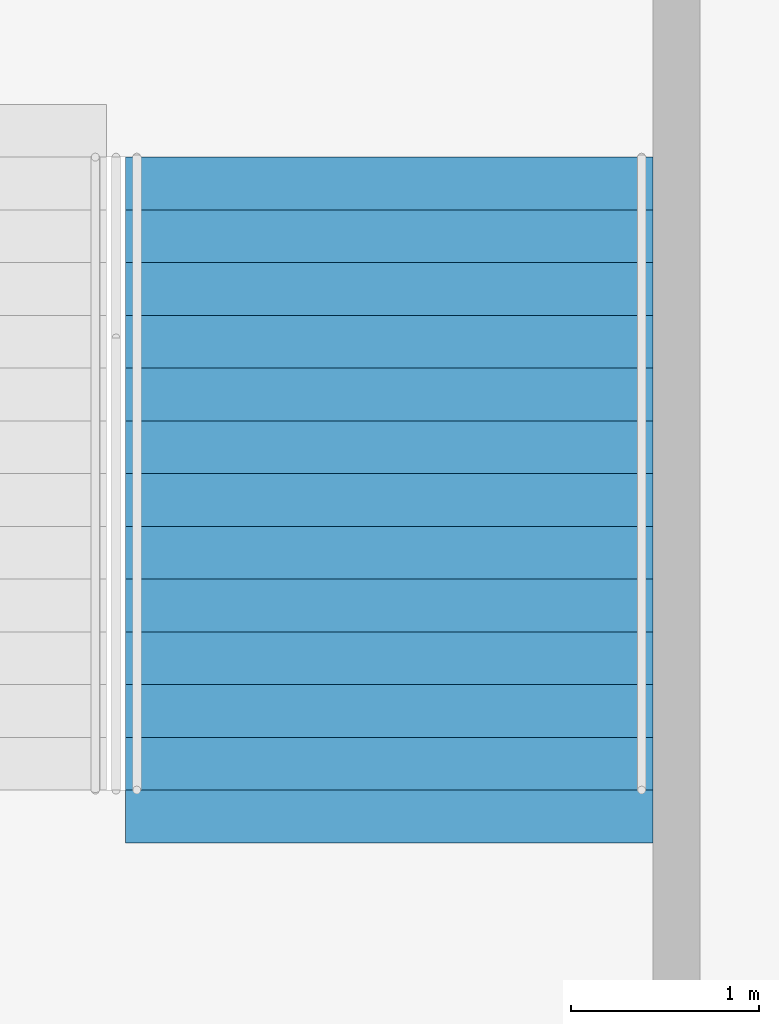
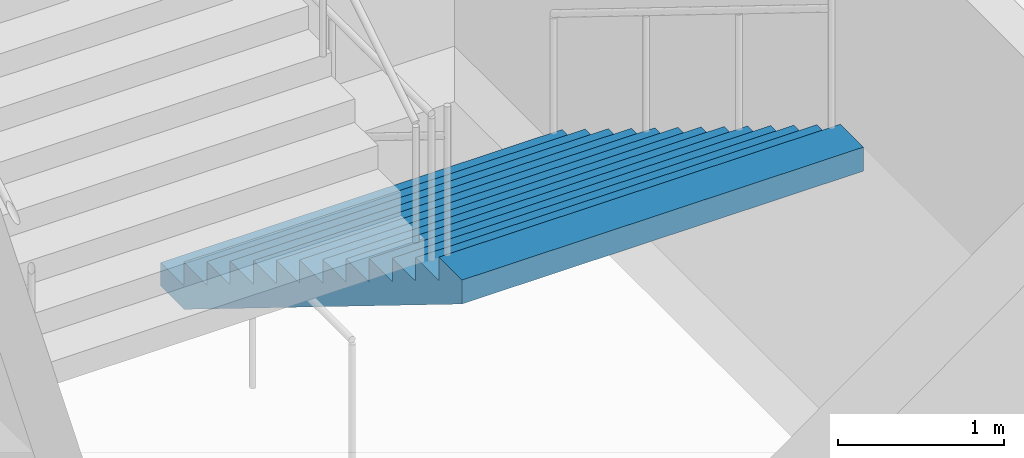
# One storey, part 101 of 177: 1 stair flight, 1 element without a shape of its own.
"""IFC4 building model written with IfcOpenShell, lengths in metres."""

import ifcopenshell
import ifcopenshell.guid

model = None  # the IFC model being written
_history = None  # IfcOwnerHistory: only IFC2X3 demands one
_inside = {}  # id of a spatial element -> (the spatial element, [elements in it])
_under = {}  # id of a project, library or spatial element -> (it, [spatial elements below it])
_declared = {}  # id of a project -> (the project, [libraries it declares])
_typed = {}  # id of a type object -> (the type object, [elements of that type])
_made_of = {}  # id of a material, layer set ... -> (it, [elements and type objects made of it])


def new_model(schema):
    """Start an empty IFC model of exactly this schema.

    Asked for "IFC4X3", IfcOpenShell would pick the latest addendum, in which some entities
    have other attributes; the version numbers below select the first issue.
    IFC2X3 requires an IfcOwnerHistory on every rooted entity: one is made here for all.
    """
    global model, _history
    if schema == "IFC4X3":
        model = ifcopenshell.file(schema_version=(4, 3, 0, 0))
    else:
        model = ifcopenshell.file(schema=schema)
    _inside.clear()
    _under.clear()
    _declared.clear()
    _typed.clear()
    _made_of.clear()
    _history = None
    if model.schema == "IFC2X3":
        org = make("IfcOrganization", Name="unknown")
        user = make(
            "IfcPersonAndOrganization",
            ThePerson=make("IfcPerson", FamilyName="unknown"),
            TheOrganization=org,
        )
        app = make(
            "IfcApplication",
            ApplicationDeveloper=org,
            Version="unknown",
            ApplicationFullName="unknown",
            ApplicationIdentifier="unknown",
        )
        _history = make(
            "IfcOwnerHistory",
            OwningUser=user,
            OwningApplication=app,
            ChangeAction="ADDED",
            CreationDate=0,
        )
    return model


def make(cls, **values):
    """One entity of the class cls with the attributes given. An attribute that is None is left unset."""
    return model.create_entity(
        cls, **{name: value for name, value in values.items() if value is not None}
    )


def rooted(cls, **values):
    """An entity with a GlobalId (a new one), such as an element, a storey or a relation."""
    return make(cls, GlobalId=ifcopenshell.guid.new(), OwnerHistory=_history, **values)


def si_unit(unit_type, name, prefix=None):
    """IfcSIUnit, for example si_unit("LENGTHUNIT", "METRE", prefix="MILLI")."""
    return make("IfcSIUnit", UnitType=unit_type, Prefix=prefix, Name=name)


def assignment(units):
    """IfcUnitAssignment: the units of a project."""
    return None if units is None else make("IfcUnitAssignment", Units=units)


def point(xyz):
    """IfcCartesianPoint."""
    return None if xyz is None else make("IfcCartesianPoint", Coordinates=xyz)


def direction(xyz):
    """IfcDirection."""
    return None if xyz is None else make("IfcDirection", DirectionRatios=xyz)


def frame(location, z_axis=None, x_axis=None):
    """IfcAxis2Placement3D, a coordinate frame: its origin and axes. An axis left out is left unset."""
    return make(
        "IfcAxis2Placement3D",
        Location=point(location),
        Axis=direction(z_axis),
        RefDirection=direction(x_axis),
    )


def origin():
    """The frame at (0, 0, 0) with its axes left unset."""
    return frame((0.0, 0.0, 0.0))


def place(relative_to, where):
    """IfcLocalPlacement: puts the frame where relative to a parent placement (None: the world)."""
    return make(
        "IfcLocalPlacement", PlacementRelTo=relative_to, RelativePlacement=where
    )


def context(
    kind, dimensions, precision=None, world=None, true_north=None, identifier=None
):
    """IfcGeometricRepresentationContext, for example the 3D "Model" context."""
    return make(
        "IfcGeometricRepresentationContext",
        ContextIdentifier=identifier,
        ContextType=kind,
        CoordinateSpaceDimension=dimensions,
        Precision=precision,
        WorldCoordinateSystem=world,
        TrueNorth=true_north,
    )


def subcontext(parent, identifier, kind, view, scale=None):
    """IfcGeometricRepresentationSubContext, for example "Body" below "Model"."""
    return make(
        "IfcGeometricRepresentationSubContext",
        ContextIdentifier=identifier,
        ContextType=kind,
        ParentContext=parent,
        TargetScale=scale,
        TargetView=view,
    )


def project(units=None, contexts=None):
    """IfcProject with its units and contexts."""
    return rooted(
        "IfcProject",
        Name="project",
        RepresentationContexts=contexts,
        UnitsInContext=assignment(units),
    )


def spatial(cls, under=None, at=None, **own):
    """A site, building, storey or space (cls), placed at a placement, below another one or the project."""
    s = rooted(cls, ObjectPlacement=at, **own)
    if under is not None:
        _under.setdefault(under.id(), (under, []))[1].append(s)
    return s


def faces_of(points, faces, orient=None, outer=None):
    """IfcFace entities. A face is a list of loops; a loop is a list of indices into points, from 0.

    orient and outer hold one flag for each loop. By default every Orientation is true, the
    first loop of a face is its IfcFaceOuterBound and the others are IfcFaceBound.
    """
    made = []
    for i, loops in enumerate(faces):
        bounds = []
        for j, loop in enumerate(loops):
            is_outer = j == 0 if outer is None else outer[i][j]
            bounds.append(
                make(
                    "IfcFaceOuterBound" if is_outer else "IfcFaceBound",
                    Bound=make("IfcPolyLoop", Polygon=[points[k] for k in loop]),
                    Orientation=True if orient is None else orient[i][j],
                )
            )
        made.append(make("IfcFace", Bounds=bounds))
    return made


def faceted_brep(points, faces, orient=None, outer=None, voids=None):
    """IfcFacetedBrep: a solid bounded by flat faces; with voids (closed shells), ...WithVoids."""
    shared = [point(p) for p in points]
    hull = make("IfcClosedShell", CfsFaces=faces_of(shared, faces, orient, outer))
    if voids is None:
        return make("IfcFacetedBrep", Outer=hull)
    return make(
        "IfcFacetedBrepWithVoids",
        Outer=hull,
        Voids=[
            make(cls, CfsFaces=faces_of(shared, fs, o, b)) for cls, fs, o, b in voids
        ],
    )


def shape(context_of_items, identifier, shape_type, items):
    """IfcShapeRepresentation: the items that make up one representation, for example the "Body"."""
    return make(
        "IfcShapeRepresentation",
        ContextOfItems=context_of_items,
        RepresentationIdentifier=identifier,
        RepresentationType=shape_type,
        Items=items,
    )


def material(Name=None, Category=None):
    """IfcMaterial."""
    return make("IfcMaterial", Name=Name, Category=Category)


def made_of(thing, what):
    """Note that an element or type object is made of a material, layer set ...; save() writes the relation."""
    if what is not None:
        _made_of.setdefault(what.id(), (what, []))[1].append(thing)
    return thing


def type_object(cls, material=None, **own):
    """A type object (cls), such as IfcWallType, which elements share."""
    return made_of(rooted(cls, **own), material)


def element(
    cls,
    number,
    at=None,
    inside=None,
    cuts=None,
    type_object=None,
    material=None,
    context=None,
    identifier="Body",
    shape_type=None,
    held_by="IfcProductDefinitionShape",
    body=None,
    shapes=None,
    **own,
):
    """One element of the class cls, such as IfcWall. Its Tag is "e" and its number.

    at: its placement. inside: the storey or other place that contains it. cuts: it is an
    opening in that element (IfcRelVoidsElement). A single representation is given by context,
    identifier, shape_type and body (its items); several are given by shapes. held_by: the class
    of the entity that holds the representations. save() writes the other relations.
    """
    e = rooted(cls, Tag="e%d" % number, ObjectPlacement=at, **own)
    if body is not None:
        shapes = [shape(context, identifier, shape_type, body)]
    if shapes is not None:
        e.Representation = make(held_by, Representations=shapes)
    if inside is not None:
        _inside.setdefault(inside.id(), (inside, []))[1].append(e)
    if cuts is not None:
        rooted(
            "IfcRelVoidsElement", RelatingBuildingElement=cuts, RelatedOpeningElement=e
        )
    if type_object is not None:
        _typed.setdefault(type_object.id(), (type_object, []))[1].append(e)
    return made_of(e, material)


def aggregate(whole, parts):
    """IfcRelAggregates: a whole, such as a stair, and the parts it consists of."""
    return rooted("IfcRelAggregates", RelatingObject=whole, RelatedObjects=parts)


def save(model, path):
    """Write the relations noted so far, then the file.

    IfcRelAggregates (storeys below a building ...), IfcRelContainedInSpatialStructure (elements
    in a storey), IfcRelDefinesByType, IfcRelAssociatesMaterial and IfcRelDeclares: one each for
    every whole, place, type object, material and project.
    """
    for whole, parts in _under.values():
        aggregate(whole, parts)
    for where, things in _inside.values():
        rooted(
            "IfcRelContainedInSpatialStructure",
            RelatedElements=things,
            RelatingStructure=where,
        )
    for kind, things in _typed.values():
        rooted("IfcRelDefinesByType", RelatedObjects=things, RelatingType=kind)
    for what, things in _made_of.values():
        rooted("IfcRelAssociatesMaterial", RelatedObjects=things, RelatingMaterial=what)
    for by, libraries in _declared.values():
        rooted("IfcRelDeclares", RelatingContext=by, RelatedDefinitions=libraries)
    model.write(path)


model = new_model("IFC4")

# Units and contexts
model_context = context("Model", 3, precision=1e-05, world=origin(), true_north=direction((0.0, 1.0)))
body_context = subcontext(model_context, "Body", "Model", "MODEL_VIEW")
ifc_project = project(units=[si_unit("LENGTHUNIT", "METRE"), si_unit("AREAUNIT", "SQUARE_METRE"), si_unit("VOLUMEUNIT", "CUBIC_METRE"), si_unit("PLANEANGLEUNIT", "RADIAN"), si_unit("MASSUNIT", "GRAM", prefix="KILO")], contexts=[model_context])

# Site, building, storey
site_placement = place(None, origin())
site = spatial("IfcSite", under=ifc_project, at=site_placement, CompositionType="ELEMENT")
building_placement = place(site_placement, origin())
building = spatial("IfcBuilding", under=site, at=building_placement, Name="Ogive Plaza Stadium", CompositionType="ELEMENT")
storey_placement = place(building_placement, frame((0.0, 0.0, 18.0)))
storey = spatial("IfcBuildingStorey", under=building, at=storey_placement, Name="L04", CompositionType="ELEMENT", Elevation=18.0)

# Stair, stair flight
ifc_material_1 = material(Name="Concrete C40/50", Category="concrete")
stair_type = type_object("IfcStairType", Name="Exit stair", PredefinedType="STRAIGHT_RUN_STAIR", material=ifc_material_1)
stair_placement = place(storey_placement, origin())
stair = element("IfcStair", 1, at=stair_placement, inside=storey, type_object=stair_type, Name="Exit stair ST14B L04 to L05", PredefinedType="STRAIGHT_RUN_STAIR")
ifc_material_2 = material(Name="Concrete C40/50", Category="concrete")
stair_flight_type = type_object("IfcStairFlightType", Name="Exit stair flight", PredefinedType="STRAIGHT", material=ifc_material_2)
stair_flight_placement = place(storey_placement, frame((11.22509765625, -94.85009765625, 0.0), z_axis=(0.0, 0.0, 1.0), x_axis=(0.0, -1.0, 0.0)))
stair_flight = element("IfcStairFlight", 2, at=stair_flight_placement, type_object=stair_flight_type, Name="ST14B flight 1", NumberOfRisers=13, NumberOfTreads=12, PredefinedType="STRAIGHT", RiserHeight=0.173076923, TreadLength=0.28, context=body_context, shape_type="Brep", body=[
    faceted_brep([(0.28515625, -1.39990234375, 0.0), (3.639892578125, -1.39990234375, 2.07373046875), (3.639892578125, -1.39990234375, 2.25), (3.360107421875, -1.39990234375, 2.25), (3.360107421875, -1.39990234375, 2.076904296875), (3.080078125, -1.39990234375, 2.076904296875), (3.080078125, -1.39990234375, 1.90380859375), (2.800048828125, -1.39990234375, 1.90380859375), (2.800048828125, -1.39990234375, 1.730712890625), (2.52001953125, -1.39990234375, 1.730712890625), (2.52001953125, -1.39990234375, 1.5576171875), (2.239990234375, -1.39990234375, 1.5576171875), (2.239990234375, -1.39990234375, 1.384521484375), (1.9599609375, -1.39990234375, 1.384521484375), (1.9599609375, -1.39990234375, 1.21142578125), (1.679931640625, -1.39990234375, 1.21142578125), (1.679931640625, -1.39990234375, 1.03857421875), (1.39990234375, -1.39990234375, 1.03857421875), (1.39990234375, -1.39990234375, 0.865478515625), (1.1201171875, -1.39990234375, 0.865478515625), (1.1201171875, -1.39990234375, 0.6923828125), (0.840087890625, -1.39990234375, 0.6923828125), (0.840087890625, -1.39990234375, 0.519287109375), (0.56005859375, -1.39990234375, 0.519287109375), (0.56005859375, -1.39990234375, 0.34619140625), (0.280029296875, -1.39990234375, 0.34619140625), (0.280029296875, -1.39990234375, 0.173095703125), (0.0, -1.39990234375, 0.173095703125), (0.0, -1.39990234375, 0.0), (0.0, 1.39990234375, 0.0), (0.0, 1.39990234375, 0.173095703125), (0.280029296875, 1.39990234375, 0.173095703125), (0.280029296875, 1.39990234375, 0.34619140625), (0.56005859375, 1.39990234375, 0.34619140625), (0.56005859375, 1.39990234375, 0.519287109375), (0.840087890625, 1.39990234375, 0.519287109375), (0.840087890625, 1.39990234375, 0.6923828125), (1.1201171875, 1.39990234375, 0.6923828125), (1.1201171875, 1.39990234375, 0.865478515625), (1.39990234375, 1.39990234375, 0.865478515625), (1.39990234375, 1.39990234375, 1.03857421875), (1.679931640625, 1.39990234375, 1.03857421875), (1.679931640625, 1.39990234375, 1.21142578125), (1.9599609375, 1.39990234375, 1.21142578125), (1.9599609375, 1.39990234375, 1.384521484375), (2.239990234375, 1.39990234375, 1.384521484375), (2.239990234375, 1.39990234375, 1.5576171875), (2.52001953125, 1.39990234375, 1.5576171875), (2.52001953125, 1.39990234375, 1.730712890625), (2.800048828125, 1.39990234375, 1.730712890625), (2.800048828125, 1.39990234375, 1.90380859375), (3.080078125, 1.39990234375, 1.90380859375), (3.080078125, 1.39990234375, 2.076904296875), (3.360107421875, 1.39990234375, 2.076904296875), (3.360107421875, 1.39990234375, 2.25), (3.639892578125, 1.39990234375, 2.25), (3.639892578125, 1.39990234375, 2.07373046875), (0.28515625, 1.39990234375, 0.0), (0.28515625, -1.0888671875, 0.0), (3.639892578125, -1.0888671875, 2.07373046875), (0.28515625, -0.77783203125, 0.0), (3.639892578125, -0.77783203125, 2.07373046875), (0.28515625, -0.466796875, 0.0), (3.639892578125, -0.466796875, 2.07373046875), (0.28515625, -0.155517578125, 0.0), (3.639892578125, -0.155517578125, 2.07373046875), (0.28515625, 0.155517578125, 0.0), (3.639892578125, 0.155517578125, 2.07373046875), (0.28515625, 0.466796875, 0.0), (3.639892578125, 0.466796875, 2.07373046875), (0.28515625, 0.77783203125, 0.0), (3.639892578125, 0.77783203125, 2.07373046875), (0.28515625, 1.0888671875, 0.0), (3.639892578125, 1.0888671875, 2.07373046875), (3.639892578125, -1.0888671875, 2.25), (3.639892578125, -0.77783203125, 2.25), (3.639892578125, -0.466796875, 2.25), (3.639892578125, -0.155517578125, 2.25), (3.639892578125, 0.155517578125, 2.25), (3.639892578125, 0.466796875, 2.25), (3.639892578125, 0.77783203125, 2.25), (3.639892578125, 1.0888671875, 2.25), (3.360107421875, -1.0888671875, 2.25), (3.360107421875, -0.77783203125, 2.25), (3.360107421875, -0.466796875, 2.25), (3.360107421875, -0.155517578125, 2.25), (3.360107421875, 0.155517578125, 2.25), (3.360107421875, 0.466796875, 2.25), (3.360107421875, 0.77783203125, 2.25), (3.360107421875, 1.0888671875, 2.25), (3.360107421875, -1.0888671875, 2.076904296875), (3.360107421875, -0.77783203125, 2.076904296875), (3.360107421875, -0.466796875, 2.076904296875), (3.360107421875, -0.155517578125, 2.076904296875), (3.360107421875, 0.155517578125, 2.076904296875), (3.360107421875, 0.466796875, 2.076904296875), (3.360107421875, 0.77783203125, 2.076904296875), (3.360107421875, 1.0888671875, 2.076904296875), (3.080078125, -1.0888671875, 2.076904296875), (3.080078125, -0.77783203125, 2.076904296875), (3.080078125, -0.466796875, 2.076904296875), (3.080078125, -0.155517578125, 2.076904296875), (3.080078125, 0.155517578125, 2.076904296875), (3.080078125, 0.466796875, 2.076904296875), (3.080078125, 0.77783203125, 2.076904296875), (3.080078125, 1.0888671875, 2.076904296875), (3.080078125, -1.0888671875, 1.90380859375), (3.080078125, -0.77783203125, 1.90380859375), (3.080078125, -0.466796875, 1.90380859375), (3.080078125, -0.155517578125, 1.90380859375), (3.080078125, 0.155517578125, 1.90380859375), (3.080078125, 0.466796875, 1.90380859375), (3.080078125, 0.77783203125, 1.90380859375), (3.080078125, 1.0888671875, 1.90380859375), (2.800048828125, -1.0888671875, 1.90380859375), (2.800048828125, -0.77783203125, 1.90380859375), (2.800048828125, -0.466796875, 1.90380859375), (2.800048828125, -0.155517578125, 1.90380859375), (2.800048828125, 0.155517578125, 1.90380859375), (2.800048828125, 0.466796875, 1.90380859375), (2.800048828125, 0.77783203125, 1.90380859375), (2.800048828125, 1.0888671875, 1.90380859375), (2.800048828125, -1.0888671875, 1.730712890625), (2.800048828125, -0.77783203125, 1.730712890625), (2.800048828125, -0.466796875, 1.730712890625), (2.800048828125, -0.155517578125, 1.730712890625), (2.800048828125, 0.155517578125, 1.730712890625), (2.800048828125, 0.466796875, 1.730712890625), (2.800048828125, 0.77783203125, 1.730712890625), (2.800048828125, 1.0888671875, 1.730712890625), (2.52001953125, -1.0888671875, 1.730712890625), (2.52001953125, -0.77783203125, 1.730712890625), (2.52001953125, -0.466796875, 1.730712890625), (2.52001953125, -0.155517578125, 1.730712890625), (2.52001953125, 0.155517578125, 1.730712890625), (2.52001953125, 0.466796875, 1.730712890625), (2.52001953125, 0.77783203125, 1.730712890625), (2.52001953125, 1.0888671875, 1.730712890625), (2.52001953125, -1.0888671875, 1.5576171875), (2.52001953125, -0.77783203125, 1.5576171875), (2.52001953125, -0.466796875, 1.5576171875), (2.52001953125, -0.155517578125, 1.5576171875), (2.52001953125, 0.155517578125, 1.5576171875), (2.52001953125, 0.466796875, 1.5576171875), (2.52001953125, 0.77783203125, 1.5576171875), (2.52001953125, 1.0888671875, 1.5576171875), (2.239990234375, -1.0888671875, 1.5576171875), (2.239990234375, -0.77783203125, 1.5576171875), (2.239990234375, -0.466796875, 1.5576171875), (2.239990234375, -0.155517578125, 1.5576171875), (2.239990234375, 0.155517578125, 1.5576171875), (2.239990234375, 0.466796875, 1.5576171875), (2.239990234375, 0.77783203125, 1.5576171875), (2.239990234375, 1.0888671875, 1.5576171875), (2.239990234375, -1.0888671875, 1.384521484375), (2.239990234375, -0.77783203125, 1.384521484375), (2.239990234375, -0.466796875, 1.384521484375), (2.239990234375, -0.155517578125, 1.384521484375), (2.239990234375, 0.155517578125, 1.384521484375), (2.239990234375, 0.466796875, 1.384521484375), (2.239990234375, 0.77783203125, 1.384521484375), (2.239990234375, 1.0888671875, 1.384521484375), (1.9599609375, -1.0888671875, 1.384521484375), (1.9599609375, -0.77783203125, 1.384521484375), (1.9599609375, -0.466796875, 1.384521484375), (1.9599609375, -0.155517578125, 1.384521484375), (1.9599609375, 0.155517578125, 1.384521484375), (1.9599609375, 0.466796875, 1.384521484375), (1.9599609375, 0.77783203125, 1.384521484375), (1.9599609375, 1.0888671875, 1.384521484375), (1.9599609375, -1.0888671875, 1.21142578125), (1.9599609375, -0.77783203125, 1.21142578125), (1.9599609375, -0.466796875, 1.21142578125), (1.9599609375, -0.155517578125, 1.21142578125), (1.9599609375, 0.155517578125, 1.21142578125), (1.9599609375, 0.466796875, 1.21142578125), (1.9599609375, 0.77783203125, 1.21142578125), (1.9599609375, 1.0888671875, 1.21142578125), (1.679931640625, -1.0888671875, 1.21142578125), (1.679931640625, -0.77783203125, 1.21142578125), (1.679931640625, -0.466796875, 1.21142578125), (1.679931640625, -0.155517578125, 1.21142578125), (1.679931640625, 0.155517578125, 1.21142578125), (1.679931640625, 0.466796875, 1.21142578125), (1.679931640625, 0.77783203125, 1.21142578125), (1.679931640625, 1.0888671875, 1.21142578125), (1.679931640625, -1.0888671875, 1.03857421875), (1.679931640625, -0.77783203125, 1.03857421875), (1.679931640625, -0.466796875, 1.03857421875), (1.679931640625, -0.155517578125, 1.03857421875), (1.679931640625, 0.155517578125, 1.03857421875), (1.679931640625, 0.466796875, 1.03857421875), (1.679931640625, 0.77783203125, 1.03857421875), (1.679931640625, 1.0888671875, 1.03857421875), (1.39990234375, -1.0888671875, 1.03857421875), (1.39990234375, -0.77783203125, 1.03857421875), (1.39990234375, -0.466796875, 1.03857421875), (1.39990234375, -0.155517578125, 1.03857421875), (1.39990234375, 0.155517578125, 1.03857421875), (1.39990234375, 0.466796875, 1.03857421875), (1.39990234375, 0.77783203125, 1.03857421875), (1.39990234375, 1.0888671875, 1.03857421875), (1.39990234375, -1.0888671875, 0.865478515625), (1.39990234375, -0.77783203125, 0.865478515625), (1.39990234375, -0.466796875, 0.865478515625), (1.39990234375, -0.155517578125, 0.865478515625), (1.39990234375, 0.155517578125, 0.865478515625), (1.39990234375, 0.466796875, 0.865478515625), (1.39990234375, 0.77783203125, 0.865478515625), (1.39990234375, 1.0888671875, 0.865478515625), (1.1201171875, -1.0888671875, 0.865478515625), (1.1201171875, -0.77783203125, 0.865478515625), (1.1201171875, -0.466796875, 0.865478515625), (1.1201171875, -0.155517578125, 0.865478515625), (1.1201171875, 0.155517578125, 0.865478515625), (1.1201171875, 0.466796875, 0.865478515625), (1.1201171875, 0.77783203125, 0.865478515625), (1.1201171875, 1.0888671875, 0.865478515625), (1.1201171875, -1.0888671875, 0.6923828125), (1.1201171875, -0.77783203125, 0.6923828125), (1.1201171875, -0.466796875, 0.6923828125), (1.1201171875, -0.155517578125, 0.6923828125), (1.1201171875, 0.155517578125, 0.6923828125), (1.1201171875, 0.466796875, 0.6923828125), (1.1201171875, 0.77783203125, 0.6923828125), (1.1201171875, 1.0888671875, 0.6923828125), (0.840087890625, -1.0888671875, 0.6923828125), (0.840087890625, -0.77783203125, 0.6923828125), (0.840087890625, -0.466796875, 0.6923828125), (0.840087890625, -0.155517578125, 0.6923828125), (0.840087890625, 0.155517578125, 0.6923828125), (0.840087890625, 0.466796875, 0.6923828125), (0.840087890625, 0.77783203125, 0.6923828125), (0.840087890625, 1.0888671875, 0.6923828125), (0.840087890625, -1.0888671875, 0.519287109375), (0.840087890625, -0.77783203125, 0.519287109375), (0.840087890625, -0.466796875, 0.519287109375), (0.840087890625, -0.155517578125, 0.519287109375), (0.840087890625, 0.155517578125, 0.519287109375), (0.840087890625, 0.466796875, 0.519287109375), (0.840087890625, 0.77783203125, 0.519287109375), (0.840087890625, 1.0888671875, 0.519287109375), (0.56005859375, -1.0888671875, 0.519287109375), (0.56005859375, -0.77783203125, 0.519287109375), (0.56005859375, -0.466796875, 0.519287109375), (0.56005859375, -0.155517578125, 0.519287109375), (0.56005859375, 0.155517578125, 0.519287109375), (0.56005859375, 0.466796875, 0.519287109375), (0.56005859375, 0.77783203125, 0.519287109375), (0.56005859375, 1.0888671875, 0.519287109375), (0.56005859375, -1.0888671875, 0.34619140625), (0.56005859375, -0.77783203125, 0.34619140625), (0.56005859375, -0.466796875, 0.34619140625), (0.56005859375, -0.155517578125, 0.34619140625), (0.56005859375, 0.155517578125, 0.34619140625), (0.56005859375, 0.466796875, 0.34619140625), (0.56005859375, 0.77783203125, 0.34619140625), (0.56005859375, 1.0888671875, 0.34619140625), (0.280029296875, -1.0888671875, 0.34619140625), (0.280029296875, -0.77783203125, 0.34619140625), (0.280029296875, -0.466796875, 0.34619140625), (0.280029296875, -0.155517578125, 0.34619140625), (0.280029296875, 0.155517578125, 0.34619140625), (0.280029296875, 0.466796875, 0.34619140625), (0.280029296875, 0.77783203125, 0.34619140625), (0.280029296875, 1.0888671875, 0.34619140625), (0.280029296875, -1.0888671875, 0.173095703125), (0.280029296875, -0.77783203125, 0.173095703125), (0.280029296875, -0.466796875, 0.173095703125), (0.280029296875, -0.155517578125, 0.173095703125), (0.280029296875, 0.155517578125, 0.173095703125), (0.280029296875, 0.466796875, 0.173095703125), (0.280029296875, 0.77783203125, 0.173095703125), (0.280029296875, 1.0888671875, 0.173095703125), (0.0, -1.0888671875, 0.173095703125), (0.0, -0.77783203125, 0.173095703125), (0.0, -0.466796875, 0.173095703125), (0.0, -0.155517578125, 0.173095703125), (0.0, 0.155517578125, 0.173095703125), (0.0, 0.466796875, 0.173095703125), (0.0, 0.77783203125, 0.173095703125), (0.0, 1.0888671875, 0.173095703125), (0.0, -1.0888671875, 0.0), (0.0, -0.77783203125, 0.0), (0.0, -0.466796875, 0.0), (0.0, -0.155517578125, 0.0), (0.0, 0.155517578125, 0.0), (0.0, 0.466796875, 0.0), (0.0, 0.77783203125, 0.0), (0.0, 1.0888671875, 0.0)], [[[0, 1, 2, 3, 4, 5, 6, 7, 8, 9, 10, 11, 12, 13, 14, 15, 16, 17, 18, 19, 20, 21, 22, 23, 24, 25, 26, 27, 28]], [[29, 30, 31, 32, 33, 34, 35, 36, 37, 38, 39, 40, 41, 42, 43, 44, 45, 46, 47, 48, 49, 50, 51, 52, 53, 54, 55, 56, 57]], [[0, 58, 59, 1]], [[58, 60, 61, 59]], [[60, 62, 63, 61]], [[62, 64, 65, 63]], [[64, 66, 67, 65]], [[66, 68, 69, 67]], [[68, 70, 71, 69]], [[70, 72, 73, 71]], [[72, 57, 56, 73]], [[1, 59, 74, 2]], [[59, 61, 75, 74]], [[61, 63, 76, 75]], [[63, 65, 77, 76]], [[65, 67, 78, 77]], [[67, 69, 79, 78]], [[69, 71, 80, 79]], [[71, 73, 81, 80]], [[73, 56, 55, 81]], [[2, 74, 82, 3]], [[74, 75, 83, 82]], [[75, 76, 84, 83]], [[76, 77, 85, 84]], [[77, 78, 86, 85]], [[78, 79, 87, 86]], [[79, 80, 88, 87]], [[80, 81, 89, 88]], [[81, 55, 54, 89]], [[3, 82, 90, 4]], [[82, 83, 91, 90]], [[83, 84, 92, 91]], [[84, 85, 93, 92]], [[85, 86, 94, 93]], [[86, 87, 95, 94]], [[87, 88, 96, 95]], [[88, 89, 97, 96]], [[89, 54, 53, 97]], [[4, 90, 98, 5]], [[90, 91, 99, 98]], [[91, 92, 100, 99]], [[92, 93, 101, 100]], [[93, 94, 102, 101]], [[94, 95, 103, 102]], [[95, 96, 104, 103]], [[96, 97, 105, 104]], [[97, 53, 52, 105]], [[5, 98, 106, 6]], [[98, 99, 107, 106]], [[99, 100, 108, 107]], [[100, 101, 109, 108]], [[101, 102, 110, 109]], [[102, 103, 111, 110]], [[103, 104, 112, 111]], [[104, 105, 113, 112]], [[105, 52, 51, 113]], [[6, 106, 114, 7]], [[106, 107, 115, 114]], [[107, 108, 116, 115]], [[108, 109, 117, 116]], [[109, 110, 118, 117]], [[110, 111, 119, 118]], [[111, 112, 120, 119]], [[112, 113, 121, 120]], [[113, 51, 50, 121]], [[7, 114, 122, 8]], [[114, 115, 123, 122]], [[115, 116, 124, 123]], [[116, 117, 125, 124]], [[117, 118, 126, 125]], [[118, 119, 127, 126]], [[119, 120, 128, 127]], [[120, 121, 129, 128]], [[121, 50, 49, 129]], [[8, 122, 130, 9]], [[122, 123, 131, 130]], [[123, 124, 132, 131]], [[124, 125, 133, 132]], [[125, 126, 134, 133]], [[126, 127, 135, 134]], [[127, 128, 136, 135]], [[128, 129, 137, 136]], [[129, 49, 48, 137]], [[9, 130, 138, 10]], [[130, 131, 139, 138]], [[131, 132, 140, 139]], [[132, 133, 141, 140]], [[133, 134, 142, 141]], [[134, 135, 143, 142]], [[135, 136, 144, 143]], [[136, 137, 145, 144]], [[137, 48, 47, 145]], [[10, 138, 146, 11]], [[138, 139, 147, 146]], [[139, 140, 148, 147]], [[140, 141, 149, 148]], [[141, 142, 150, 149]], [[142, 143, 151, 150]], [[143, 144, 152, 151]], [[144, 145, 153, 152]], [[145, 47, 46, 153]], [[11, 146, 154, 12]], [[146, 147, 155, 154]], [[147, 148, 156, 155]], [[148, 149, 157, 156]], [[149, 150, 158, 157]], [[150, 151, 159, 158]], [[151, 152, 160, 159]], [[152, 153, 161, 160]], [[153, 46, 45, 161]], [[12, 154, 162, 13]], [[154, 155, 163, 162]], [[155, 156, 164, 163]], [[156, 157, 165, 164]], [[157, 158, 166, 165]], [[158, 159, 167, 166]], [[159, 160, 168, 167]], [[160, 161, 169, 168]], [[161, 45, 44, 169]], [[13, 162, 170, 14]], [[162, 163, 171, 170]], [[163, 164, 172, 171]], [[164, 165, 173, 172]], [[165, 166, 174, 173]], [[166, 167, 175, 174]], [[167, 168, 176, 175]], [[168, 169, 177, 176]], [[169, 44, 43, 177]], [[14, 170, 178, 15]], [[170, 171, 179, 178]], [[171, 172, 180, 179]], [[172, 173, 181, 180]], [[173, 174, 182, 181]], [[174, 175, 183, 182]], [[175, 176, 184, 183]], [[176, 177, 185, 184]], [[177, 43, 42, 185]], [[15, 178, 186, 16]], [[178, 179, 187, 186]], [[179, 180, 188, 187]], [[180, 181, 189, 188]], [[181, 182, 190, 189]], [[182, 183, 191, 190]], [[183, 184, 192, 191]], [[184, 185, 193, 192]], [[185, 42, 41, 193]], [[16, 186, 194, 17]], [[186, 187, 195, 194]], [[187, 188, 196, 195]], [[188, 189, 197, 196]], [[189, 190, 198, 197]], [[190, 191, 199, 198]], [[191, 192, 200, 199]], [[192, 193, 201, 200]], [[193, 41, 40, 201]], [[17, 194, 202, 18]], [[194, 195, 203, 202]], [[195, 196, 204, 203]], [[196, 197, 205, 204]], [[197, 198, 206, 205]], [[198, 199, 207, 206]], [[199, 200, 208, 207]], [[200, 201, 209, 208]], [[201, 40, 39, 209]], [[18, 202, 210, 19]], [[202, 203, 211, 210]], [[203, 204, 212, 211]], [[204, 205, 213, 212]], [[205, 206, 214, 213]], [[206, 207, 215, 214]], [[207, 208, 216, 215]], [[208, 209, 217, 216]], [[209, 39, 38, 217]], [[19, 210, 218, 20]], [[210, 211, 219, 218]], [[211, 212, 220, 219]], [[212, 213, 221, 220]], [[213, 214, 222, 221]], [[214, 215, 223, 222]], [[215, 216, 224, 223]], [[216, 217, 225, 224]], [[217, 38, 37, 225]], [[20, 218, 226, 21]], [[218, 219, 227, 226]], [[219, 220, 228, 227]], [[220, 221, 229, 228]], [[221, 222, 230, 229]], [[222, 223, 231, 230]], [[223, 224, 232, 231]], [[224, 225, 233, 232]], [[225, 37, 36, 233]], [[21, 226, 234, 22]], [[226, 227, 235, 234]], [[227, 228, 236, 235]], [[228, 229, 237, 236]], [[229, 230, 238, 237]], [[230, 231, 239, 238]], [[231, 232, 240, 239]], [[232, 233, 241, 240]], [[233, 36, 35, 241]], [[22, 234, 242, 23]], [[234, 235, 243, 242]], [[235, 236, 244, 243]], [[236, 237, 245, 244]], [[237, 238, 246, 245]], [[238, 239, 247, 246]], [[239, 240, 248, 247]], [[240, 241, 249, 248]], [[241, 35, 34, 249]], [[23, 242, 250, 24]], [[242, 243, 251, 250]], [[243, 244, 252, 251]], [[244, 245, 253, 252]], [[245, 246, 254, 253]], [[246, 247, 255, 254]], [[247, 248, 256, 255]], [[248, 249, 257, 256]], [[249, 34, 33, 257]], [[24, 250, 258, 25]], [[250, 251, 259, 258]], [[251, 252, 260, 259]], [[252, 253, 261, 260]], [[253, 254, 262, 261]], [[254, 255, 263, 262]], [[255, 256, 264, 263]], [[256, 257, 265, 264]], [[257, 33, 32, 265]], [[25, 258, 266, 26]], [[258, 259, 267, 266]], [[259, 260, 268, 267]], [[260, 261, 269, 268]], [[261, 262, 270, 269]], [[262, 263, 271, 270]], [[263, 264, 272, 271]], [[264, 265, 273, 272]], [[265, 32, 31, 273]], [[26, 266, 274, 27]], [[266, 267, 275, 274]], [[267, 268, 276, 275]], [[268, 269, 277, 276]], [[269, 270, 278, 277]], [[270, 271, 279, 278]], [[271, 272, 280, 279]], [[272, 273, 281, 280]], [[273, 31, 30, 281]], [[27, 274, 282, 28]], [[274, 275, 283, 282]], [[275, 276, 284, 283]], [[276, 277, 285, 284]], [[277, 278, 286, 285]], [[278, 279, 287, 286]], [[279, 280, 288, 287]], [[280, 281, 289, 288]], [[281, 30, 29, 289]], [[28, 282, 58, 0]], [[282, 283, 60, 58]], [[283, 284, 62, 60]], [[284, 285, 64, 62]], [[285, 286, 66, 64]], [[286, 287, 68, 66]], [[287, 288, 70, 68]], [[288, 289, 72, 70]], [[289, 29, 57, 72]]]),
])
aggregate(stair, [stair_flight])

save(model, "model.ifc")
